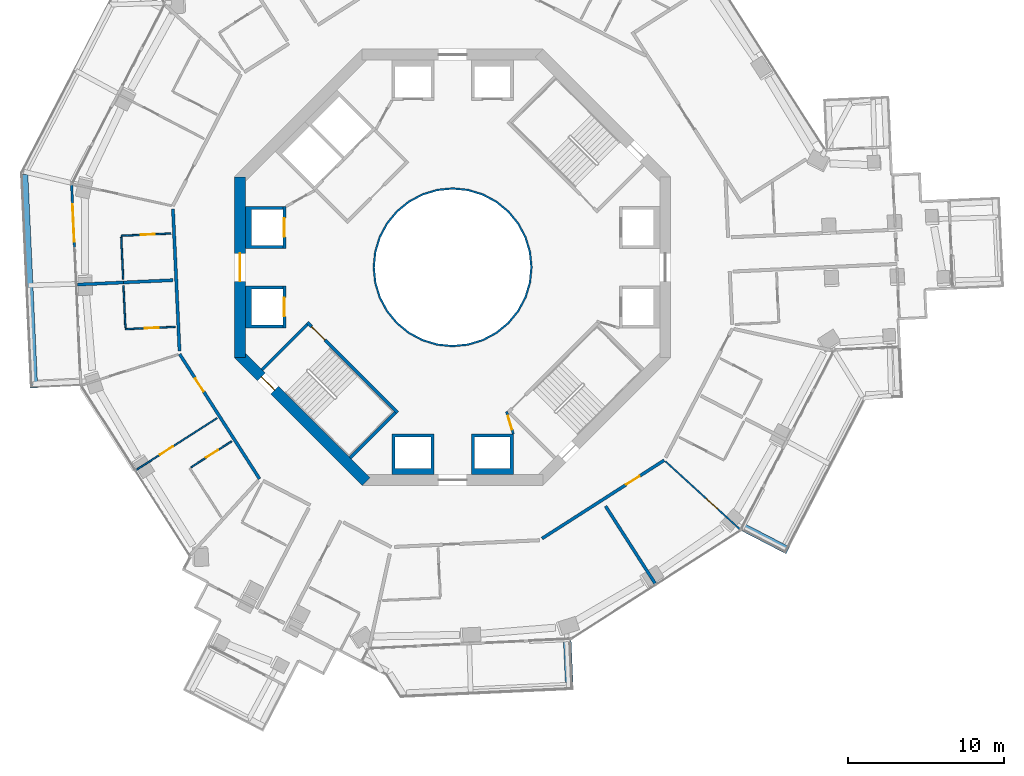
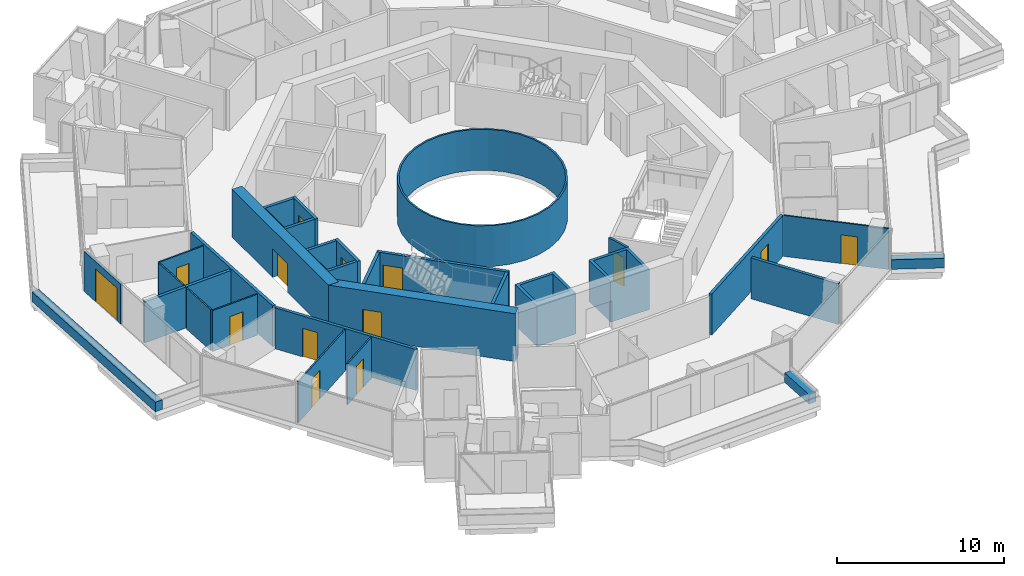
# One storey, part 15 of 22: 30 walls, 14 doors, 14 openings.
"""IFC4 building model written with IfcOpenShell, lengths in metres."""

from ifc_helpers import new_model, si_unit, direction, frame, frame_2d, origin, place, context, subcontext, project, spatial, polyline, rectangle, outline, extrude, material, layer, layer_set, type_object, element, fill, save


model = new_model("IFC4")

# Units and contexts
model_context = context("Model", 3, precision=1e-05, world=origin(), true_north=direction((0.0, 1.0)))
body_context = subcontext(model_context, "Body", "Model", "MODEL_VIEW")
ifc_project = project(units=[si_unit("LENGTHUNIT", "METRE"), si_unit("AREAUNIT", "SQUARE_METRE"), si_unit("VOLUMEUNIT", "CUBIC_METRE"), si_unit("PLANEANGLEUNIT", "RADIAN"), si_unit("MASSUNIT", "GRAM", prefix="KILO")], contexts=[model_context])

# Site, building, storey
site_placement = place(None, origin())
site = spatial("IfcSite", under=ifc_project, at=site_placement, CompositionType="ELEMENT")
building_placement = place(site_placement, origin())
building = spatial("IfcBuilding", under=site, at=building_placement, Name="Verdalira Terraces Hotel", CompositionType="ELEMENT")
storey_placement = place(building_placement, frame((0.0, 0.0, 165.5)))
storey = spatial("IfcBuildingStorey", under=building, at=storey_placement, Name="L40", CompositionType="ELEMENT", Elevation=165.5)

# Walls
ifc_material_1 = material(Name="Fire-resisting glass EI 180", Category="glass")
ifc_layer_1 = layer(ifc_material_1, 0.1201171875)
ifc_layer_set_1 = layer_set([ifc_layer_1], Name="Atrium fire screen 120 mm")
wall_type_1 = type_object("IfcWallType", Name="Atrium fire screen 120 mm", PredefinedType="SOLIDWALL", material=ifc_layer_set_1)
wall_1_placement = place(storey_placement, origin())
element("IfcWall", 1, at=wall_1_placement, inside=storey, type_object=wall_type_1, Name="Atrium fire screen", PredefinedType="SOLIDWALL", context=body_context, shape_type="SweptSolid", body=[
    extrude(outline(polyline([(5.021484, -0.998779), (4.730225, -1.959229), (4.25708, -2.844482), (3.620361, -3.620361), (2.844482, -4.25708), (1.959229, -4.730225), (0.998779, -5.021484), (0.0, -5.120117), (-0.998779, -5.021484), (-1.959229, -4.730225), (-2.844482, -4.25708), (-3.620361, -3.620361), (-4.25708, -2.844482), (-4.730225, -1.959229), (-5.021484, -0.998779), (-5.120117, 0.0), (-5.021484, 0.998779), (-4.730225, 1.959229), (-4.25708, 2.844482), (-3.620361, 3.620361), (-2.844482, 4.25708), (-1.959229, 4.730225), (-0.998779, 5.021484), (0.0, 5.120117), (0.998779, 5.021484), (1.959229, 4.730225), (2.844482, 4.25708), (3.620361, 3.620361), (4.25708, 2.844482), (4.730225, 1.959229), (5.021484, 0.998779), (5.120117, 0.0), (5.021484, -0.998779)]), holes=[polyline([(4.903809, 0.975586), (4.619385, 1.91333), (4.157227, 2.777832), (3.5354, 3.5354), (2.777832, 4.157227), (1.91333, 4.619385), (0.975586, 4.903809), (0.0, 5.0), (-0.975586, 4.903809), (-1.91333, 4.619385), (-2.777832, 4.157227), (-3.5354, 3.5354), (-4.157227, 2.777832), (-4.619385, 1.91333), (-4.903809, 0.975586), (-5.0, 0.0), (-4.903809, -0.975586), (-4.619385, -1.91333), (-4.157227, -2.777832), (-3.5354, -3.5354), (-2.777832, -4.157227), (-1.91333, -4.619385), (-0.975586, -4.903809), (0.0, -5.0), (0.975586, -4.903809), (1.91333, -4.619385), (2.777832, -4.157227), (3.5354, -3.5354), (4.157227, -2.777832), (4.619385, -1.91333), (4.903809, -0.975586), (5.0, 0.0), (4.903809, 0.975586)])]), origin(), (0.0, 0.0, 1.0), 3.0),
])
ifc_material_2 = material(Name="Concrete C40", Category="concrete")
ifc_layer_2 = layer(ifc_material_2, 0.5)
ifc_layer_set_2 = layer_set([ifc_layer_2], Name="Balcony planter trough with tree")
wall_type_2 = type_object("IfcWallType", Name="Balcony planter trough with tree", PredefinedType="SOLIDWALL", material=ifc_layer_set_2)
wall_2_placement = place(storey_placement, frame((-27.512207, 5.962646, 0.0), z_axis=(0.0, 0.0, 1.0), x_axis=(0.046058065, -0.998938764, 0.0)))
element("IfcWall", 2, at=wall_2_placement, inside=storey, type_object=wall_type_2, Name="Balcony planter", PredefinedType="SOLIDWALL", context=body_context, shape_type="SweptSolid", body=[
    extrude(rectangle(XDim=13.723633, YDim=0.5, at=frame_2d((6.861816, 0.0))), origin(), (0.0, 0.0, 1.0), 0.699951),
])
wall_3_placement = place(storey_placement, frame((7.485107, -26.641846, 0.0), z_axis=(0.0, 0.0, 1.0), x_axis=(-0.046043663, 0.998939428, 0.0)))
element("IfcWall", 3, at=wall_3_placement, inside=storey, type_object=wall_type_2, Name="Balcony planter", PredefinedType="SOLIDWALL", context=body_context, shape_type="SweptSolid", body=[
    extrude(rectangle(XDim=2.698975, YDim=0.5, at=frame_2d((1.349609, 0.0))), origin(), (0.0, 0.0, 1.0), 0.699951),
])
wall_4_placement = place(storey_placement, frame((18.67334, -16.699951, 0.0), z_axis=(0.0, 0.0, 1.0), x_axis=(0.888128492, -0.459595237, 0.0)))
element("IfcWall", 4, at=wall_4_placement, inside=storey, type_object=wall_type_2, Name="Balcony planter", PredefinedType="SOLIDWALL", context=body_context, shape_type="SweptSolid", body=[
    extrude(rectangle(XDim=3.198975, YDim=0.5, at=frame_2d((1.599609, 0.0))), origin(), (0.0, 0.0, 1.0), 0.699951),
])
ifc_material_3 = material(Name="Moisture-resistant gypsum board partition")
ifc_layer_3 = layer(ifc_material_3, 0.10009765625)
ifc_layer_set_3 = layer_set([ifc_layer_3], Name="Bathroom partition 100 mm")
wall_type_3 = type_object("IfcWallType", Name="Bathroom partition 100 mm", PredefinedType="PARTITIONING", material=ifc_layer_set_3)
for number, where, z_axis, x_axis, name in (
    (5, (-21.269287, 1.922363, 0.0), (0.0, 0.0, 1.0), (0.046022869, -0.998940386, 0.0), "Bathroom partition"),
    (6, (-21.126709, -1.174316, 0.0), (0.0, 0.0, 1.0), (0.046113095, -0.998936225, 0.0), "Bathroom partition"),
):
    element("IfcWall", number, at=place(storey_placement, frame(where, z_axis=z_axis, x_axis=x_axis)), inside=storey, type_object=wall_type_3, Name=name, PredefinedType="PARTITIONING", context=body_context, shape_type="SweptSolid", body=[
        extrude(rectangle(XDim=2.700195, YDim=0.100098, at=frame_2d((1.350098, 0.0))), origin(), (0.0, 0.0, 1.0), 3.0),
    ])

# Wall, opening, door
wall_5_placement = place(storey_placement, frame((-18.077393, 2.169678, 0.0), z_axis=(0.0, 0.0, 1.0), x_axis=(-0.998937799, -0.046079, 0.0)))
wall_5 = element("IfcWall", 7, at=wall_5_placement, inside=storey, type_object=wall_type_3, Name="Bathroom partition", PredefinedType="PARTITIONING", context=body_context, shape_type="SweptSolid", body=[
    extrude(rectangle(XDim=3.200195, YDim=0.100098, at=frame_2d((1.600098, 0.0))), origin(), (0.0, 0.0, 1.0), 3.0),
])
opening_1_placement = place(wall_5_placement, frame((1.050049, 0.0, 0.0)))
opening_1 = element("IfcOpeningElement", 8, at=opening_1_placement, cuts=wall_5, Name="Opening L40-110", PredefinedType="OPENING", context=body_context, shape_type="SweptSolid", body=[
    extrude(rectangle(XDim=0.899902, YDim=2.100098, at=frame_2d((0.449951, 1.050049))), frame((0.0, 0.060059, 0.0), z_axis=(0.0, -1.0, 0.0), x_axis=(1.0, 0.0, 0.0)), (0.0, 0.0, 1.0), 0.120117),
])
ifc_material_4 = material(Name="Timber door", Category="wood")
door_type_1 = type_object("IfcDoorType", Name="Bathroom door 900 x 2100", OperationType="NOTDEFINED", PredefinedType="DOOR", material=ifc_material_4)
door_1_placement = place(opening_1_placement, origin())
door_1 = element("IfcDoor", 9, at=door_1_placement, inside=storey, type_object=door_type_1, Name="Bathroom door 4002", OperationType="SINGLE_SWING_RIGHT", OverallHeight=2.10009765625, OverallWidth=0.89990234375, PredefinedType="DOOR", context=body_context, shape_type="SweptSolid", body=[
    extrude(rectangle(XDim=0.899902, YDim=2.100098, at=frame_2d((0.449951, 1.050049))), frame((0.0, 0.024902, 0.0), z_axis=(0.0, -1.0, 0.0), x_axis=(1.0, 0.0, 0.0)), (0.0, 0.0, 1.0), 0.050049),
])
fill(opening_1, door_1)

wall_6_placement = place(storey_placement, frame((-20.997803, -3.971436, 0.0), z_axis=(0.0, 0.0, 1.0), x_axis=(0.998937799, 0.046079, 0.0)))
wall_6 = element("IfcWall", 10, at=wall_6_placement, inside=storey, type_object=wall_type_3, Name="Bathroom partition", PredefinedType="PARTITIONING", context=body_context, shape_type="SweptSolid", body=[
    extrude(rectangle(XDim=3.200195, YDim=0.100098, at=frame_2d((1.600098, 0.0))), origin(), (0.0, 0.0, 1.0), 3.0),
])
opening_2_placement = place(wall_6_placement, frame((1.25, 0.0, 0.0)))
opening_2 = element("IfcOpeningElement", 11, at=opening_2_placement, cuts=wall_6, Name="Opening L40-114", PredefinedType="OPENING", context=body_context, shape_type="SweptSolid", body=[
    extrude(rectangle(XDim=0.899902, YDim=2.100098, at=frame_2d((0.449951, 1.050049))), frame((0.0, 0.060059, 0.0), z_axis=(0.0, -1.0, 0.0), x_axis=(1.0, 0.0, 0.0)), (0.0, 0.0, 1.0), 0.120117),
])
door_2_placement = place(opening_2_placement, origin())
door_2 = element("IfcDoor", 12, at=door_2_placement, inside=storey, type_object=door_type_1, Name="Bathroom door 4003", OperationType="SINGLE_SWING_LEFT", OverallHeight=2.10009765625, OverallWidth=0.89990234375, PredefinedType="DOOR", context=body_context, shape_type="SweptSolid", body=[
    extrude(rectangle(XDim=0.899902, YDim=2.100098, at=frame_2d((0.449951, 1.050049))), frame((0.0, 0.024902, 0.0), z_axis=(0.0, -1.0, 0.0), x_axis=(1.0, 0.0, 0.0)), (0.0, 0.0, 1.0), 0.050049),
])
fill(opening_2, door_2)

wall_7_placement = place(storey_placement, frame((-15.122314, -9.686035, 0.0), z_axis=(0.0, 0.0, 1.0), x_axis=(-0.84208534, -0.539344306, 0.0)))
wall_7 = element("IfcWall", 13, at=wall_7_placement, inside=storey, type_object=wall_type_3, Name="Bathroom partition", PredefinedType="PARTITIONING", context=body_context, shape_type="SweptSolid", body=[
    extrude(rectangle(XDim=6.149902, YDim=0.100098, at=frame_2d((3.074951, 0.0))), origin(), (0.0, 0.0, 1.0), 3.0),
])
opening_3_placement = place(wall_7_placement, frame((3.350098, 0.0, 0.0)))
opening_3 = element("IfcOpeningElement", 14, at=opening_3_placement, cuts=wall_7, Name="Opening L40-113", PredefinedType="OPENING", context=body_context, shape_type="SweptSolid", body=[
    extrude(rectangle(XDim=1.0, YDim=2.100098, at=frame_2d((0.5, 1.050049))), frame((0.0, 0.060059, 0.0), z_axis=(0.0, -1.0, 0.0), x_axis=(1.0, 0.0, 0.0)), (0.0, 0.0, 1.0), 0.120117),
])
ifc_material_5 = material(Name="Timber door", Category="wood")
door_type_2 = type_object("IfcDoorType", Name="Suite internal door 1000 x 2100", OperationType="NOTDEFINED", PredefinedType="DOOR", material=ifc_material_5)
door_3_placement = place(opening_3_placement, origin())
door_3 = element("IfcDoor", 15, at=door_3_placement, inside=storey, type_object=door_type_2, Name="Suite internal door 4003", OperationType="SINGLE_SWING_LEFT", OverallHeight=2.10009765625, OverallWidth=1.0, PredefinedType="DOOR", context=body_context, shape_type="SweptSolid", body=[
    extrude(rectangle(XDim=1.0, YDim=2.100098, at=frame_2d((0.5, 1.050049))), frame((0.0, 0.024902, 0.0), z_axis=(0.0, -1.0, 0.0), x_axis=(1.0, 0.0, 0.0)), (0.0, 0.0, 1.0), 0.050049),
])
fill(opening_3, door_3)

wall_8_placement = place(storey_placement, frame((-14.173828, -11.166504, 0.0), z_axis=(0.0, 0.0, 1.0), x_axis=(-0.842052497, -0.539395581, 0.0)))
wall_8 = element("IfcWall", 16, at=wall_8_placement, inside=storey, type_object=wall_type_3, Name="Bathroom partition", PredefinedType="PARTITIONING", context=body_context, shape_type="SweptSolid", body=[
    extrude(rectangle(XDim=3.100098, YDim=0.100098, at=frame_2d((1.550049, 0.0))), origin(), (0.0, 0.0, 1.0), 3.0),
])
opening_4_placement = place(wall_8_placement, frame((1.050049, 0.0, 0.0)))
opening_4 = element("IfcOpeningElement", 17, at=opening_4_placement, cuts=wall_8, Name="Opening L40-115", PredefinedType="OPENING", context=body_context, shape_type="SweptSolid", body=[
    extrude(rectangle(XDim=0.899902, YDim=2.100098, at=frame_2d((0.449951, 1.050049))), frame((0.0, 0.060059, 0.0), z_axis=(0.0, -1.0, 0.0), x_axis=(1.0, 0.0, 0.0)), (0.0, 0.0, 1.0), 0.120117),
])
door_4_placement = place(opening_4_placement, origin())
door_4 = element("IfcDoor", 18, at=door_4_placement, inside=storey, type_object=door_type_1, Name="Bathroom door 4003", OperationType="SINGLE_SWING_RIGHT", OverallHeight=2.10009765625, OverallWidth=0.89990234375, PredefinedType="DOOR", context=body_context, shape_type="SweptSolid", body=[
    extrude(rectangle(XDim=0.899902, YDim=2.100098, at=frame_2d((0.449951, 1.050049))), frame((0.0, 0.024902, 0.0), z_axis=(0.0, -1.0, 0.0), x_axis=(1.0, 0.0, 0.0)), (0.0, 0.0, 1.0), 0.050049),
])
fill(opening_4, door_4)

wall_9_placement = place(storey_placement, frame((13.661621, -12.457275, 0.0), z_axis=(0.0, 0.0, 1.0), x_axis=(0.738912228, -0.673801691, 0.0)))
wall_9 = element("IfcWall", 19, at=wall_9_placement, inside=storey, type_object=wall_type_3, Name="Bathroom partition", PredefinedType="PARTITIONING", context=body_context, shape_type="SweptSolid", body=[
    extrude(rectangle(XDim=6.475586, YDim=0.100098, at=frame_2d((3.237793, 0.0))), origin(), (0.0, 0.0, 1.0), 3.0),
])
opening_5_placement = place(wall_9_placement, frame((3.550049, 0.0, 0.0)))
opening_5 = element("IfcOpeningElement", 20, at=opening_5_placement, cuts=wall_9, Name="Opening L40-124", PredefinedType="OPENING", context=body_context, shape_type="SweptSolid", body=[
    extrude(rectangle(XDim=1.0, YDim=2.100098, at=frame_2d((0.5, 1.050049))), frame((0.0, 0.060059, 0.0), z_axis=(0.0, -1.0, 0.0), x_axis=(1.0, 0.0, 0.0)), (0.0, 0.0, 1.0), 0.120117),
])
door_5_placement = place(opening_5_placement, origin())
door_5 = element("IfcDoor", 21, at=door_5_placement, inside=storey, type_object=door_type_2, Name="Suite internal door 4007", OperationType="SINGLE_SWING_LEFT", OverallHeight=2.10009765625, OverallWidth=1.0, PredefinedType="DOOR", context=body_context, shape_type="SweptSolid", body=[
    extrude(rectangle(XDim=1.0, YDim=2.100098, at=frame_2d((0.5, 1.050049))), frame((0.0, 0.024902, 0.0), z_axis=(0.0, -1.0, 0.0), x_axis=(1.0, 0.0, 0.0)), (0.0, 0.0, 1.0), 0.050049),
])
fill(opening_5, door_5)

# Wall
ifc_material_6 = material(Name="Concrete C50", Category="concrete")
ifc_layer_4 = layer(ifc_material_6, 0.199951171875)
ifc_layer_set_4 = layer_set([ifc_layer_4], Name="Core RC wall 200 C50")
wall_type_4 = type_object("IfcWallType", Name="Core RC wall 200 C50", PredefinedType="SOLIDWALL", material=ifc_layer_set_4)
wall_10_placement = place(storey_placement, origin())
element("IfcWall", 22, at=wall_10_placement, inside=storey, type_object=wall_type_4, Name="L40 shaft wall W1", PredefinedType="SOLIDWALL", context=body_context, shape_type="SweptSolid", body=[
    extrude(outline(polyline([(-13.300049, 3.899902), (-10.899902, 3.899902), (-10.899902, 3.699951), (-12.899902, 3.699951), (-12.899902, 1.399902), (-10.899902, 1.399902), (-10.899902, 1.199951), (-13.300049, 1.199951), (-13.300049, 3.899902)])), origin(), (0.0, 0.0, 1.0), 3.0),
])

# Wall, opening, door
wall_11_placement = place(storey_placement, frame((-10.800049, 1.199951, 0.0), z_axis=(0.0, 0.0, 1.0), x_axis=(0.0, 1.0, 0.0)))
wall_11 = element("IfcWall", 23, at=wall_11_placement, inside=storey, type_object=wall_type_4, Name="L40 shaft front wall W1", PredefinedType="SOLIDWALL", context=body_context, shape_type="SweptSolid", body=[
    extrude(rectangle(XDim=2.699951, YDim=0.199951, at=frame_2d((1.350098, 0.0))), origin(), (0.0, 0.0, 1.0), 3.0),
])
opening_6_placement = place(wall_11_placement, frame((0.75, 0.0, 0.0)))
opening_6 = element("IfcOpeningElement", 24, at=opening_6_placement, cuts=wall_11, Name="Opening LD-L40-805", PredefinedType="OPENING", context=body_context, shape_type="SweptSolid", body=[
    extrude(rectangle(XDim=1.199951, YDim=2.100098, at=frame_2d((0.600098, 1.050049))), frame((0.0, 0.109863, 0.0), z_axis=(0.0, -1.0, 0.0), x_axis=(1.0, 0.0, 0.0)), (0.0, 0.0, 1.0), 0.219971),
])
ifc_material_7 = material(Name="Stainless steel", Category="steel")
door_type_3 = type_object("IfcDoorType", Name="Landing door 1200 x 2100", OperationType="NOTDEFINED", PredefinedType="DOOR", material=ifc_material_7)
door_6_placement = place(opening_6_placement, origin())
door_6 = element("IfcDoor", 25, at=door_6_placement, inside=storey, type_object=door_type_3, Name="Lift landing door LR5 L40", OperationType="DOUBLE_DOOR_SLIDING", OverallHeight=2.10009765625, OverallWidth=1.199951171875, PredefinedType="DOOR", context=body_context, shape_type="SweptSolid", body=[
    extrude(rectangle(XDim=1.199951, YDim=2.100098, at=frame_2d((0.600098, 1.050049))), frame((0.0, 0.024902, 0.0), z_axis=(0.0, -1.0, 0.0), x_axis=(1.0, 0.0, 0.0)), (0.0, 0.0, 1.0), 0.050049),
])
fill(opening_6, door_6)

# Wall
wall_12_placement = place(storey_placement, origin())
element("IfcWall", 26, at=wall_12_placement, inside=storey, type_object=wall_type_4, Name="L40 shaft wall W2", PredefinedType="SOLIDWALL", context=body_context, shape_type="SweptSolid", body=[
    extrude(outline(polyline([(-13.300049, -3.899902), (-13.300049, -1.199951), (-10.899902, -1.199951), (-10.899902, -1.399902), (-12.899902, -1.399902), (-12.899902, -3.699951), (-10.899902, -3.699951), (-10.899902, -3.899902), (-13.300049, -3.899902)])), origin(), (0.0, 0.0, 1.0), 3.0),
])

# Wall, opening, door
wall_13_placement = place(storey_placement, frame((-10.800049, -1.199951, 0.0), z_axis=(0.0, 0.0, 1.0), x_axis=(0.0, -1.0, 0.0)))
wall_13 = element("IfcWall", 27, at=wall_13_placement, inside=storey, type_object=wall_type_4, Name="L40 shaft front wall W2", PredefinedType="SOLIDWALL", context=body_context, shape_type="SweptSolid", body=[
    extrude(rectangle(XDim=2.699951, YDim=0.199951, at=frame_2d((1.350098, 0.0))), origin(), (0.0, 0.0, 1.0), 3.0),
])
opening_7_placement = place(wall_13_placement, frame((0.75, 0.0, 0.0)))
opening_7 = element("IfcOpeningElement", 28, at=opening_7_placement, cuts=wall_13, Name="Opening LD-L40-806", PredefinedType="OPENING", context=body_context, shape_type="SweptSolid", body=[
    extrude(rectangle(XDim=1.199951, YDim=2.100098, at=frame_2d((0.600098, 1.050049))), frame((0.0, 0.109863, 0.0), z_axis=(0.0, -1.0, 0.0), x_axis=(1.0, 0.0, 0.0)), (0.0, 0.0, 1.0), 0.219971),
])
door_7_placement = place(opening_7_placement, origin())
door_7 = element("IfcDoor", 29, at=door_7_placement, inside=storey, type_object=door_type_3, Name="Lift landing door LR6 L40", OperationType="DOUBLE_DOOR_SLIDING", OverallHeight=2.10009765625, OverallWidth=1.199951171875, PredefinedType="DOOR", context=body_context, shape_type="SweptSolid", body=[
    extrude(rectangle(XDim=1.199951, YDim=2.100098, at=frame_2d((0.600098, 1.050049))), frame((0.0, 0.024902, 0.0), z_axis=(0.0, -1.0, 0.0), x_axis=(1.0, 0.0, 0.0)), (0.0, 0.0, 1.0), 0.050049),
])
fill(opening_7, door_7)

# Walls
wall_14_placement = place(storey_placement, origin())
element("IfcWall", 30, at=wall_14_placement, inside=storey, type_object=wall_type_4, Name="L40 shaft wall S1", PredefinedType="SOLIDWALL", context=body_context, shape_type="SweptSolid", body=[
    extrude(outline(polyline([(-1.199951, -13.300049), (-3.899902, -13.300049), (-3.899902, -10.699951), (-1.199951, -10.699951), (-1.199951, -13.300049)]), holes=[polyline([(-3.699951, -10.899902), (-3.699951, -12.899902), (-1.399902, -12.899902), (-1.399902, -10.899902), (-3.699951, -10.899902)])]), origin(), (0.0, 0.0, 1.0), 3.0),
])
wall_15_placement = place(storey_placement, origin())
element("IfcWall", 31, at=wall_15_placement, inside=storey, type_object=wall_type_4, Name="L40 shaft wall S2", PredefinedType="SOLIDWALL", context=body_context, shape_type="SweptSolid", body=[
    extrude(outline(polyline([(3.899902, -10.699951), (3.899902, -13.300049), (1.199951, -13.300049), (1.199951, -10.699951), (3.899902, -10.699951)]), holes=[polyline([(1.399902, -12.899902), (3.699951, -12.899902), (3.699951, -10.899902), (1.399902, -10.899902), (1.399902, -12.899902)])]), origin(), (0.0, 0.0, 1.0), 3.0),
])

# Wall, opening, door
wall_16_placement = place(storey_placement, frame((-3.5354, -9.33374, 0.0), z_axis=(0.0, 0.0, 1.0), x_axis=(-0.707106781, 0.707106781, 0.0)))
wall_16 = element("IfcWall", 32, at=wall_16_placement, inside=storey, type_object=wall_type_4, Name="L40 stair ST2 front wall", PredefinedType="SOLIDWALL", context=body_context, shape_type="SweptSolid", body=[
    extrude(rectangle(XDim=8.200195, YDim=0.199951, at=frame_2d((4.100098, 0.0))), origin(), (0.0, 0.0, 1.0), 3.0),
])
opening_8_placement = place(wall_16_placement, frame((6.600098, 0.0, 0.0)))
opening_8 = element("IfcOpeningElement", 33, at=opening_8_placement, cuts=wall_16, Name="Opening L40-810", PredefinedType="OPENING", context=body_context, shape_type="SweptSolid", body=[
    extrude(rectangle(XDim=1.199951, YDim=2.100098, at=frame_2d((0.600098, 1.050049))), frame((0.0, 0.109863, 0.0), z_axis=(0.0, -1.0, 0.0), x_axis=(1.0, 0.0, 0.0)), (0.0, 0.0, 1.0), 0.219971),
])
ifc_material_8 = material(Name="Steel fire door", Category="steel")
door_type_4 = type_object("IfcDoorType", Name="Stair door 1200 x 2100", OperationType="NOTDEFINED", PredefinedType="DOOR", material=ifc_material_8)
door_8_placement = place(opening_8_placement, origin())
door_8 = element("IfcDoor", 34, at=door_8_placement, inside=storey, type_object=door_type_4, Name="Stair door ST2 L40", OperationType="SINGLE_SWING_RIGHT", OverallHeight=2.10009765625, OverallWidth=1.199951171875, PredefinedType="DOOR", context=body_context, shape_type="SweptSolid", body=[
    extrude(rectangle(XDim=1.199951, YDim=2.100098, at=frame_2d((0.600098, 1.050049))), frame((0.0, 0.024902, 0.0), z_axis=(0.0, -1.0, 0.0), x_axis=(1.0, 0.0, 0.0)), (0.0, 0.0, 1.0), 0.050049),
])
fill(opening_8, door_8)

# Walls
for number, where, z_axis, x_axis, name in (
    (35, (-9.33374, -3.677002, 0.0), (0.0, 0.0, 1.0), (-0.707106781, -0.707106781, 0.0), "L40 stair ST2 end wall 1"),
    (36, (-3.677002, -9.33374, 0.0), (0.0, 0.0, 1.0), (-0.707106781, -0.707106781, 0.0), "L40 stair ST2 end wall 2"),
):
    element("IfcWall", number, at=place(storey_placement, frame(where, z_axis=z_axis, x_axis=x_axis)), inside=storey, type_object=wall_type_4, Name=name, PredefinedType="SOLIDWALL", context=body_context, shape_type="SweptSolid", body=[
        extrude(rectangle(XDim=4.100098, YDim=0.199951, at=frame_2d((2.050049, 0.0))), origin(), (0.0, 0.0, 1.0), 3.0),
    ])

# Wall, opening, door
ifc_material_9 = material(Name="Gypsum board partition")
ifc_layer_5 = layer(ifc_material_9, 0.14990234375)
ifc_layer_set_5 = layer_set([ifc_layer_5], Name="Core partition 150 mm")
wall_type_5 = type_object("IfcWallType", Name="Core partition 150 mm", PredefinedType="PARTITIONING", material=ifc_layer_set_5)
wall_17_placement = place(storey_placement, frame((3.899902, -10.699951, 0.0), z_axis=(0.0, 0.0, 1.0), x_axis=(-0.289808785, 0.957084567, 0.0)))
wall_17 = element("IfcWall", 37, at=wall_17_placement, inside=storey, type_object=wall_type_5, Name="Room partition L40", PredefinedType="PARTITIONING", context=body_context, shape_type="SweptSolid", body=[
    extrude(rectangle(XDim=1.501221, YDim=0.149902, at=frame_2d((0.750488, 0.0))), origin(), (0.0, 0.0, 1.0), 3.0),
])
opening_9_placement = place(wall_17_placement, frame((0.300781, 0.0, 0.0)))
opening_9 = element("IfcOpeningElement", 38, at=opening_9_placement, cuts=wall_17, Name="Opening L40-822", PredefinedType="OPENING", context=body_context, shape_type="SweptSolid", body=[
    extrude(rectangle(XDim=0.899902, YDim=2.100098, at=frame_2d((0.449951, 1.050049))), frame((0.0, 0.084961, 0.0), z_axis=(0.0, -1.0, 0.0), x_axis=(1.0, 0.0, 0.0)), (0.0, 0.0, 1.0), 0.169922),
])
ifc_material_10 = material(Name="Steel fire door", Category="steel")
door_type_5 = type_object("IfcDoorType", Name="Core room door 900 x 2100", OperationType="NOTDEFINED", PredefinedType="DOOR", material=ifc_material_10)
door_9_placement = place(opening_9_placement, origin())
door_9 = element("IfcDoor", 39, at=door_9_placement, inside=storey, type_object=door_type_5, Name="Door L40 room6", OperationType="SINGLE_SWING_LEFT", OverallHeight=2.10009765625, OverallWidth=0.89990234375, PredefinedType="DOOR", context=body_context, shape_type="SweptSolid", body=[
    extrude(rectangle(XDim=0.899902, YDim=2.100098, at=frame_2d((0.449951, 1.050049))), frame((0.0, 0.024902, 0.0), z_axis=(0.0, -1.0, 0.0), x_axis=(1.0, 0.0, 0.0)), (0.0, 0.0, 1.0), 0.050049),
])
fill(opening_9, door_9)

ifc_material_11 = material(Name="Concrete C60", Category="concrete")
ifc_layer_6 = layer(ifc_material_11, 0.699951171875)
ifc_layer_set_6 = layer_set([ifc_layer_6], Name="Core wall 700 C60")
wall_type_6 = type_object("IfcWallType", Name="Core wall 700 C60", PredefinedType="SHEAR", material=ifc_layer_set_6)
wall_18_placement = place(storey_placement, frame((-13.649902, 5.799072, 0.0), z_axis=(0.0, 0.0, 1.0), x_axis=(0.0, -1.0, 0.0)))
wall_18 = element("IfcWall", 40, at=wall_18_placement, inside=storey, type_object=wall_type_6, Name="Core wall CW-L40-5", PredefinedType="SHEAR", context=body_context, shape_type="SweptSolid", body=[
    extrude(rectangle(XDim=11.598145, YDim=0.699951, at=frame_2d((5.799072, 0.0))), origin(), (0.0, 0.0, 1.0), 3.5),
])
opening_10_placement = place(wall_18_placement, frame((4.898926, 0.0, 0.0)))
opening_10 = element("IfcOpeningElement", 41, at=opening_10_placement, cuts=wall_18, Name="Opening L40-814", PredefinedType="OPENING", context=body_context, shape_type="SweptSolid", body=[
    extrude(rectangle(XDim=1.800049, YDim=2.100098, at=frame_2d((0.899902, 1.050049))), frame((0.0, 0.359863, 0.0), z_axis=(0.0, -1.0, 0.0), x_axis=(1.0, 0.0, 0.0)), (0.0, 0.0, 1.0), 0.719971),
])
ifc_material_12 = material(Name="Steel fire door", Category="steel")
door_type_6 = type_object("IfcDoorType", Name="Core entry door pair 1800 x 2100", OperationType="NOTDEFINED", PredefinedType="DOOR", material=ifc_material_12)
door_10_placement = place(opening_10_placement, origin())
door_10 = element("IfcDoor", 42, at=door_10_placement, inside=storey, type_object=door_type_6, Name="Core entry door L40 4", OperationType="DOUBLE_DOOR_SINGLE_SWING", OverallHeight=2.10009765625, OverallWidth=1.800048828125, PredefinedType="DOOR", context=body_context, shape_type="SweptSolid", body=[
    extrude(rectangle(XDim=1.800049, YDim=2.100098, at=frame_2d((0.899902, 1.050049))), frame((0.0, 0.024902, 0.0), z_axis=(0.0, -1.0, 0.0), x_axis=(1.0, 0.0, 0.0)), (0.0, 0.0, 1.0), 0.050049),
])
fill(opening_10, door_10)

wall_19_placement = place(storey_placement, frame((-13.752441, -5.551514, 0.0), z_axis=(0.0, 0.0, 1.0), x_axis=(0.707106781, -0.707106781, 0.0)))
wall_19 = element("IfcWall", 43, at=wall_19_placement, inside=storey, type_object=wall_type_6, Name="Core wall CW-L40-6", PredefinedType="SHEAR", context=body_context, shape_type="SweptSolid", body=[
    extrude(rectangle(XDim=11.5979, YDim=0.699951, at=frame_2d((5.798828, 0.0))), origin(), (0.0, 0.0, 1.0), 3.5),
])
opening_11_placement = place(wall_19_placement, frame((2.099121, 0.0, 0.0)))
opening_11 = element("IfcOpeningElement", 44, at=opening_11_placement, cuts=wall_19, Name="Opening L40-817", PredefinedType="OPENING", context=body_context, shape_type="SweptSolid", body=[
    extrude(rectangle(XDim=1.199951, YDim=2.100098, at=frame_2d((0.600098, 1.050049))), frame((0.0, 0.359863, 0.0), z_axis=(0.0, -1.0, 0.0), x_axis=(1.0, 0.0, 0.0)), (0.0, 0.0, 1.0), 0.719971),
])
door_11_placement = place(opening_11_placement, origin())
door_11 = element("IfcDoor", 45, at=door_11_placement, inside=storey, type_object=door_type_4, Name="Stair exit door ST2 L40", OperationType="SINGLE_SWING_LEFT", OverallHeight=2.10009765625, OverallWidth=1.199951171875, PredefinedType="DOOR", context=body_context, shape_type="SweptSolid", body=[
    extrude(rectangle(XDim=1.199951, YDim=2.100098, at=frame_2d((0.600098, 1.050049))), frame((0.0, 0.024902, 0.0), z_axis=(0.0, -1.0, 0.0), x_axis=(1.0, 0.0, 0.0)), (0.0, 0.0, 1.0), 0.050049),
])
fill(opening_11, door_11)

# Walls
ifc_material_13 = material(Name="Fire-rated gypsum board wall")
ifc_layer_7 = layer(ifc_material_13, 0.199951171875)
ifc_layer_set_7 = layer_set([ifc_layer_7], Name="Demising wall 200 mm")
wall_type_7 = type_object("IfcWallType", Name="Demising wall 200 mm", PredefinedType="SOLIDWALL", material=ifc_layer_set_7)
wall_20_placement = place(storey_placement, frame((-21.135986, -0.974609, 0.0), z_axis=(0.0, 0.0, 1.0), x_axis=(-0.998940711, -0.046015827, 0.0)))
element("IfcWall", 46, at=wall_20_placement, inside=storey, type_object=wall_type_7, Name="Demising wall", PredefinedType="SOLIDWALL", context=body_context, shape_type="SweptSolid", body=[
    extrude(rectangle(XDim=2.949951, YDim=0.199951, at=frame_2d((1.475098, 0.0))), origin(), (0.0, 0.0, 1.0), 3.0),
])
wall_21_placement = place(storey_placement, frame((-17.939209, -0.827148, 0.0), z_axis=(0.0, 0.0, 1.0), x_axis=(-0.998937799, -0.046079, 0.0)))
element("IfcWall", 47, at=wall_21_placement, inside=storey, type_object=wall_type_7, Name="Demising wall", PredefinedType="SOLIDWALL", context=body_context, shape_type="SweptSolid", body=[
    extrude(rectangle(XDim=3.200195, YDim=0.199951, at=frame_2d((1.600098, 0.0))), origin(), (0.0, 0.0, 1.0), 3.0),
])
wall_22_placement = place(storey_placement, frame((9.819336, -15.330566, 0.0), z_axis=(0.0, 0.0, 1.0), x_axis=(0.539354132, -0.842079047, 0.0)))
element("IfcWall", 48, at=wall_22_placement, inside=storey, type_object=wall_type_7, Name="Demising wall", PredefinedType="SOLIDWALL", context=body_context, shape_type="SweptSolid", body=[
    extrude(rectangle(XDim=5.902588, YDim=0.199951, at=frame_2d((2.951172, 0.0))), origin(), (0.0, 0.0, 1.0), 3.0),
])
ifc_material_14 = material(Name="Fire-rated gypsum board wall")
ifc_layer_8 = layer(ifc_material_14, 0.199951171875)
ifc_layer_set_8 = layer_set([ifc_layer_8], Name="Guest corridor wall 200 mm")
wall_type_8 = type_object("IfcWallType", Name="Guest corridor wall 200 mm", PredefinedType="SOLIDWALL", material=ifc_layer_set_8)
wall_23_placement = place(storey_placement, frame((-17.949463, 3.735596, 0.0), z_axis=(0.0, 0.0, 1.0), x_axis=(0.046061188, -0.99893862, 0.0)))
element("IfcWall", 49, at=wall_23_placement, inside=storey, type_object=wall_type_8, Name="Guest corridor wall", PredefinedType="SOLIDWALL", context=body_context, shape_type="SweptSolid", body=[
    extrude(rectangle(XDim=9.116699, YDim=0.199951, at=frame_2d((4.55835, 0.0))), origin(), (0.0, 0.0, 1.0), 3.0),
])

# Wall, opening, door
wall_24_placement = place(storey_placement, frame((-12.387451, -13.584961, 0.0), z_axis=(0.0, 0.0, 1.0), x_axis=(-0.539356505, 0.842077526, 0.0)))
wall_24 = element("IfcWall", 50, at=wall_24_placement, inside=storey, type_object=wall_type_8, Name="Guest corridor wall", PredefinedType="SOLIDWALL", context=body_context, shape_type="SweptSolid", body=[
    extrude(rectangle(XDim=9.516602, YDim=0.199951, at=frame_2d((4.758301, 0.0))), origin(), (0.0, 0.0, 1.0), 3.0),
])
opening_12_placement = place(wall_24_placement, frame((6.658203, 0.0, 0.0)))
opening_12 = element("IfcOpeningElement", 51, at=opening_12_placement, cuts=wall_24, Name="Opening L40-111", PredefinedType="OPENING", context=body_context, shape_type="SweptSolid", body=[
    extrude(rectangle(XDim=1.0, YDim=2.100098, at=frame_2d((0.5, 1.050049))), frame((0.0, 0.109863, 0.0), z_axis=(0.0, -1.0, 0.0), x_axis=(1.0, 0.0, 0.0)), (0.0, 0.0, 1.0), 0.219971),
])
ifc_material_15 = material(Name="Timber fire door", Category="wood")
door_type_7 = type_object("IfcDoorType", Name="Guest entry door 1000 x 2100", OperationType="NOTDEFINED", PredefinedType="DOOR", material=ifc_material_15)
door_12_placement = place(opening_12_placement, origin())
door_12 = element("IfcDoor", 52, at=door_12_placement, inside=storey, type_object=door_type_7, Name="Guest entry door 4003", OperationType="SINGLE_SWING_LEFT", OverallHeight=2.10009765625, OverallWidth=1.0, PredefinedType="DOOR", context=body_context, shape_type="SweptSolid", body=[
    extrude(rectangle(XDim=1.0, YDim=2.100098, at=frame_2d((0.5, 1.050049))), frame((0.0, 0.024902, 0.0), z_axis=(0.0, -1.0, 0.0), x_axis=(1.0, 0.0, 0.0)), (0.0, 0.0, 1.0), 0.050049),
])
fill(opening_12, door_12)

wall_25_placement = place(storey_placement, frame((13.584961, -12.387451, 0.0), z_axis=(0.0, 0.0, 1.0), x_axis=(-0.842082403, -0.539348892, 0.0)))
wall_25 = element("IfcWall", 53, at=wall_25_placement, inside=storey, type_object=wall_type_8, Name="Guest corridor wall", PredefinedType="SOLIDWALL", context=body_context, shape_type="SweptSolid", body=[
    extrude(rectangle(XDim=9.316162, YDim=0.199951, at=frame_2d((4.658203, 0.0))), origin(), (0.0, 0.0, 1.0), 3.0),
])
opening_13_placement = place(wall_25_placement, frame((1.899902, 0.0, 0.0)))
opening_13 = element("IfcOpeningElement", 54, at=opening_13_placement, cuts=wall_25, Name="Opening L40-123", PredefinedType="OPENING", context=body_context, shape_type="SweptSolid", body=[
    extrude(rectangle(XDim=1.0, YDim=2.100098, at=frame_2d((0.5, 1.050049))), frame((0.0, 0.109863, 0.0), z_axis=(0.0, -1.0, 0.0), x_axis=(1.0, 0.0, 0.0)), (0.0, 0.0, 1.0), 0.219971),
])
door_13_placement = place(opening_13_placement, origin())
door_13 = element("IfcDoor", 55, at=door_13_placement, inside=storey, type_object=door_type_7, Name="Guest entry door 4007", OperationType="SINGLE_SWING_LEFT", OverallHeight=2.10009765625, OverallWidth=1.0, PredefinedType="DOOR", context=body_context, shape_type="SweptSolid", body=[
    extrude(rectangle(XDim=1.0, YDim=2.100098, at=frame_2d((0.5, 1.050049))), frame((0.0, 0.024902, 0.0), z_axis=(0.0, -1.0, 0.0), x_axis=(1.0, 0.0, 0.0)), (0.0, 0.0, 1.0), 0.050049),
])
fill(opening_13, door_13)

ifc_material_16 = material(Name="Terracotta cladding", Category="masonry")
ifc_layer_9 = layer(ifc_material_16, 0.14990234375)
ifc_layer_set_9 = layer_set([ifc_layer_9], Name="Terracotta door pier 150")
wall_type_9 = type_object("IfcWallType", Name="Terracotta door pier 150", PredefinedType="SOLIDWALL", material=ifc_layer_set_9)
wall_26_placement = place(storey_placement, frame((-24.452393, 5.279053, 0.0), z_axis=(0.0, 0.0, 1.0), x_axis=(0.046034373, -0.998939856, 0.0)))
wall_26 = element("IfcWall", 56, at=wall_26_placement, inside=storey, type_object=wall_type_9, Name="Terracotta door pier", PredefinedType="SOLIDWALL", context=body_context, shape_type="SweptSolid", body=[
    extrude(rectangle(XDim=4.046631, YDim=0.149902, at=frame_2d((2.023438, 0.0))), origin(), (0.0, 0.0, 1.0), 2.935059),
])
opening_14_placement = place(wall_26_placement, frame((1.246582, 0.0, 0.0)))
opening_14 = element("IfcOpeningElement", 57, at=opening_14_placement, cuts=wall_26, Name="Opening L40-B03", PredefinedType="OPENING", context=body_context, shape_type="SweptSolid", body=[
    extrude(rectangle(XDim=2.399902, YDim=2.399902, at=frame_2d((1.199951, 1.199951))), frame((0.0, 0.084961, 0.0), z_axis=(0.0, -1.0, 0.0), x_axis=(1.0, 0.0, 0.0)), (0.0, 0.0, 1.0), 0.169922),
])
ifc_material_17 = material(Name="Clear glass", Category="glass")
door_type_8 = type_object("IfcDoorType", Name="Balcony sliding door 2400x2400", OperationType="NOTDEFINED", PredefinedType="DOOR", material=ifc_material_17)
door_14_placement = place(opening_14_placement, origin())
door_14 = element("IfcDoor", 58, at=door_14_placement, inside=storey, type_object=door_type_8, Name="Balcony sliding door", OperationType="SLIDING_TO_LEFT", OverallHeight=2.39990234375, OverallWidth=2.39990234375, PredefinedType="DOOR", context=body_context, shape_type="SweptSolid", body=[
    extrude(rectangle(XDim=2.399902, YDim=2.399902, at=frame_2d((1.199951, 1.199951))), frame((0.0, 0.024902, 0.0), z_axis=(0.0, -1.0, 0.0), x_axis=(1.0, 0.0, 0.0)), (0.0, 0.0, 1.0), 0.050049),
])
fill(opening_14, door_14)

save(model, "model.ifc")
